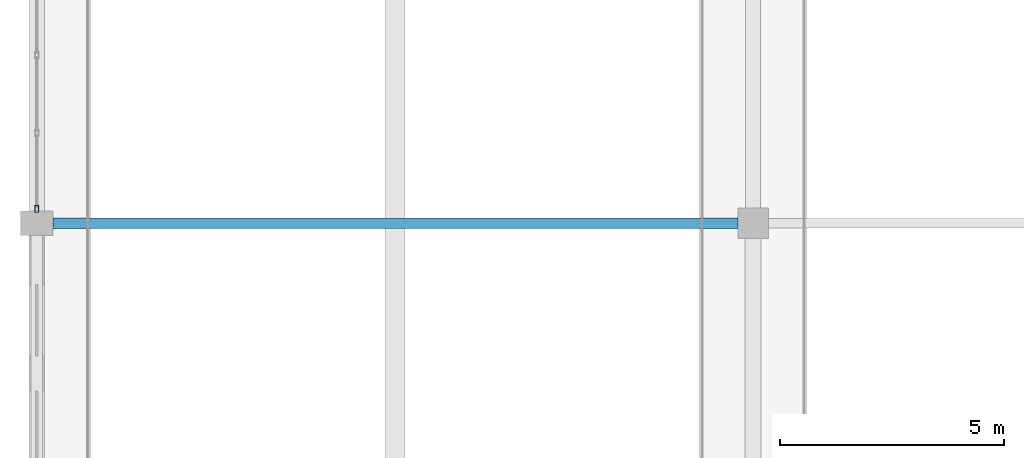
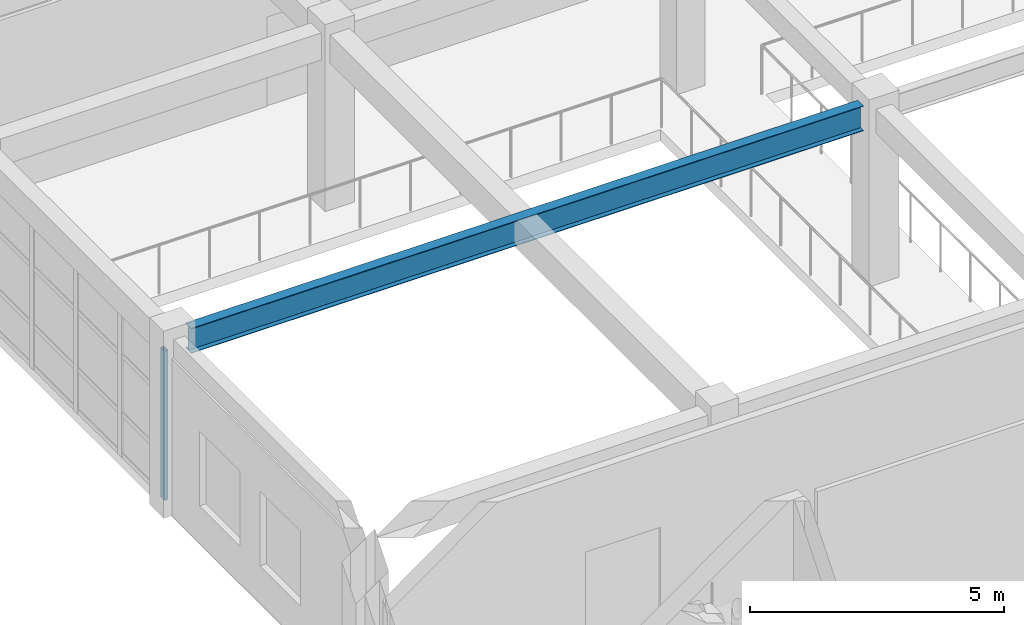
# One storey, part 38 of 160: 1 beam, 1 member, 1 element without a shape of its own.
"""IFC4 building model written with IfcOpenShell, lengths in metres."""

from ifc_helpers import new_model, si_unit, direction, frame, origin, origin_2d, place, context, subcontext, project, spatial, hollow_rectangle, i_section, extrude, material, material_profile, profile_set, type_object, element, aggregate, save


model = new_model("IFC4")

# Units and contexts
model_context = context("Model", 3, precision=1e-05, world=origin(), true_north=direction((0.0, 1.0)))
body_context = subcontext(model_context, "Body", "Model", "MODEL_VIEW")
ifc_project = project(units=[si_unit("LENGTHUNIT", "METRE"), si_unit("AREAUNIT", "SQUARE_METRE"), si_unit("VOLUMEUNIT", "CUBIC_METRE"), si_unit("PLANEANGLEUNIT", "RADIAN"), si_unit("MASSUNIT", "GRAM", prefix="KILO")], contexts=[model_context])

# Site, building, storey
site_placement = place(None, origin())
site = spatial("IfcSite", under=ifc_project, at=site_placement, CompositionType="ELEMENT")
building_placement = place(site_placement, origin())
building = spatial("IfcBuilding", under=site, at=building_placement, Name="Kharva Crest Polytechnic", CompositionType="ELEMENT")
storey_placement = place(building_placement, frame((0.0, 0.0, 4.5)))
storey = spatial("IfcBuildingStorey", under=building, at=storey_placement, Name="L01", CompositionType="ELEMENT", Elevation=4.5)

# Beam
ifc_material_1 = material(Name="Steel S355", Category="steel")
ifc_material_profile_1 = material_profile(ifc_material_1, i_section(OverallWidth=0.22802734375, OverallDepth=0.60302734375, WebThickness=0.010498046875, FlangeThickness=0.014892578125, at=origin_2d()), Name="W610X101")
ifc_profile_set_1 = profile_set([ifc_material_profile_1], Name="Steel S355")
beam_type = type_object("IfcBeamType", Name="BM-STL-W610X101", PredefinedType="BEAM", material=ifc_profile_set_1)
beam_placement = place(storey_placement, frame((0.360107421875, 15.199951171875, 3.91845703125), z_axis=(1.0, 0.0, 0.0), x_axis=(0.0, 1.0, 0.0)))
element("IfcBeam", 1, at=beam_placement, inside=storey, type_object=beam_type, Name="L01 Beam C/1-3", PredefinedType="BEAM", context=body_context, shape_type="SweptSolid", body=[
    extrude(i_section(OverallWidth=0.22802734375, OverallDepth=0.60302734375, WebThickness=0.010498046875, FlangeThickness=0.014892578125, at=origin_2d()), origin(), (0.0, 0.0, 1.0), 15.2998046875),
])

# Curtain wall, member
ifc_material_2 = material(Name="Tempered insulated glass", Category="glass")
curtain_wall_type = type_object("IfcCurtainWallType", Name="CW-SYS-COURT", PredefinedType="USERDEFINED", material=ifc_material_2)
curtain_wall_placement = place(storey_placement, origin())
curtain_wall = element("IfcCurtainWall", 2, at=curtain_wall_placement, inside=storey, type_object=curtain_wall_type, Name="L01 Glazed Curtain Wall CW-040", ObjectType="CURTAIN WALL", PredefinedType="USERDEFINED")
ifc_material_profile_2 = material_profile(ifc_material_1, hollow_rectangle(XDim=0.080078125, YDim=0.159912109375, WallThickness=0.0048828125, at=origin_2d()), Name="RHS 160X80X5.0")
ifc_profile_set_2 = profile_set([ifc_material_profile_2], Name="Steel S355")
member_type = type_object("IfcMemberType", Name="CWM-RHS160X80", PredefinedType="MULLION", material=ifc_profile_set_2)
member_placement = place(storey_placement, frame((0.0, 15.52001953125, 0.0), z_axis=(0.0, 0.0, 1.0), x_axis=(1.0, 0.0, 0.0)))
member = element("IfcMember", 3, at=member_placement, type_object=member_type, Name="CW-040 mullion 5", PredefinedType="MULLION", context=body_context, shape_type="SweptSolid", body=[
    extrude(hollow_rectangle(XDim=0.080078125, YDim=0.159912109375, WallThickness=0.0048828125, at=origin_2d()), origin(), (0.0, 0.0, 1.0), 3.60009765625),
])
aggregate(curtain_wall, [member])

save(model, "model.ifc")
